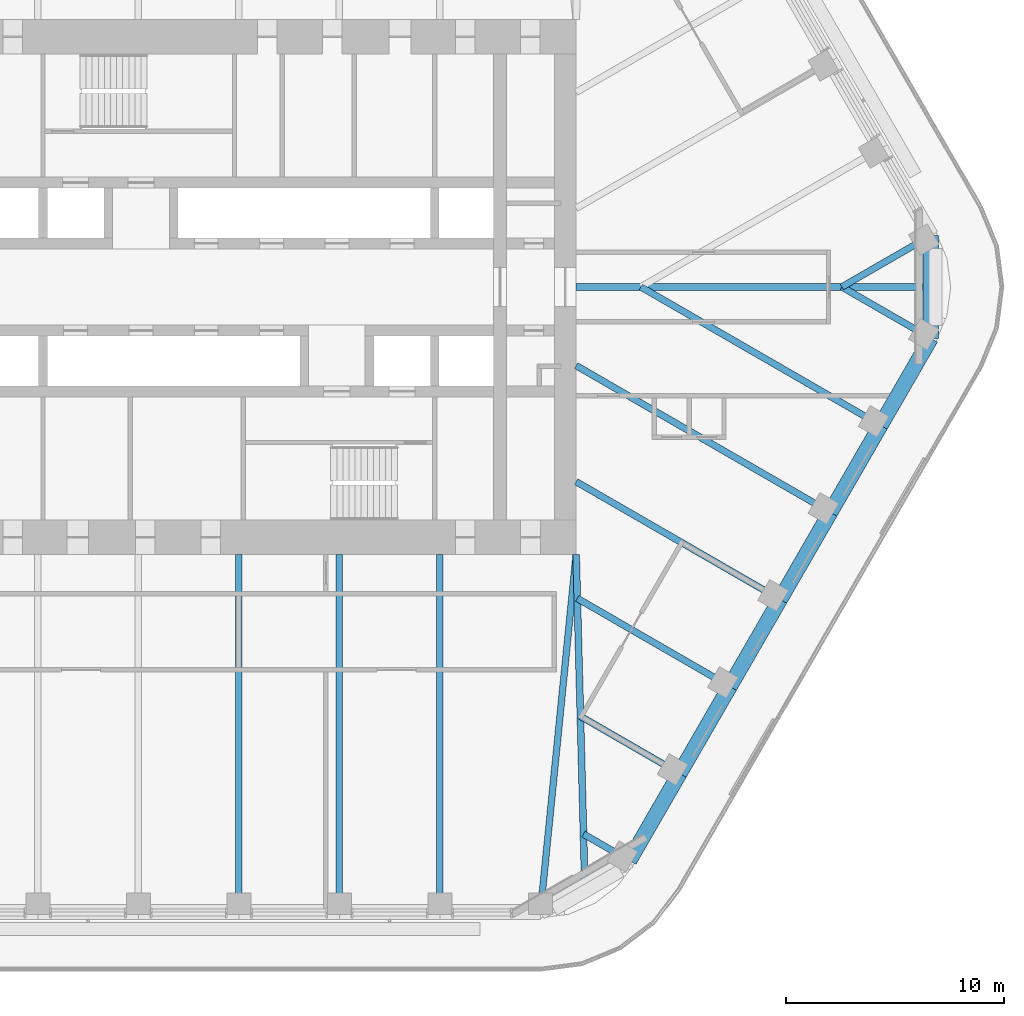
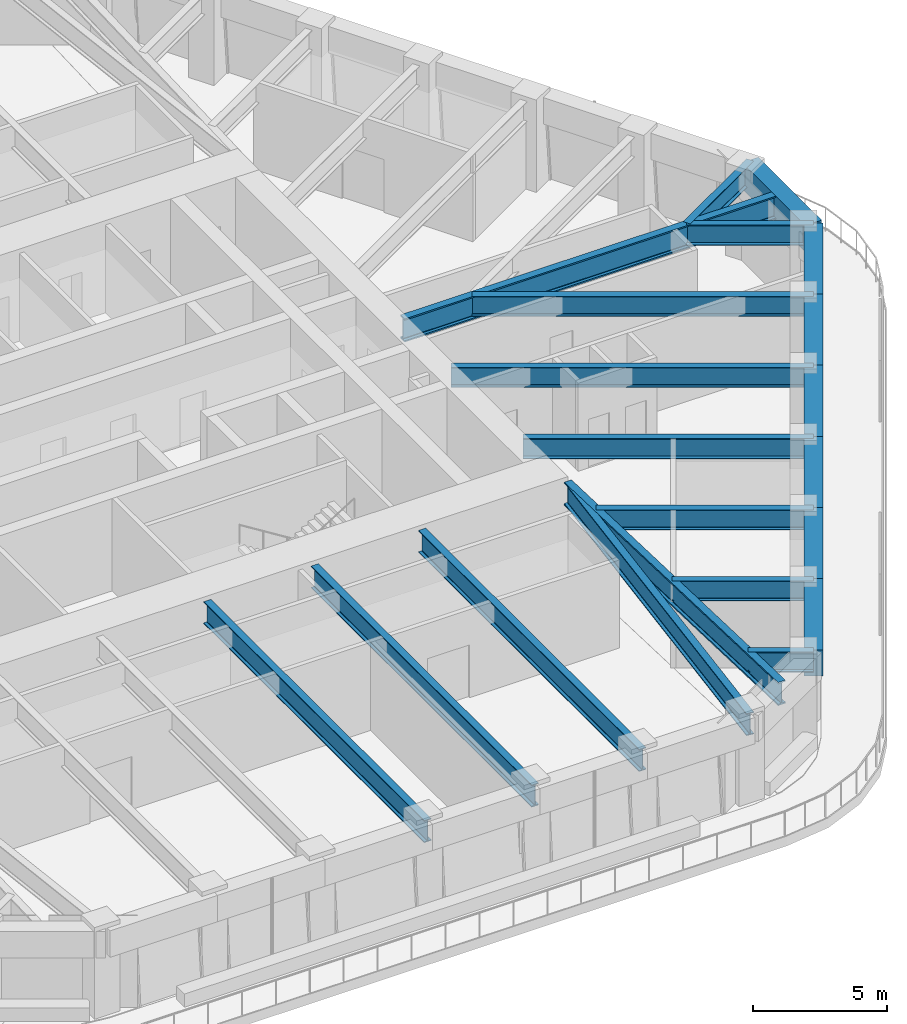
# One storey, part 5 of 20: 21 beams.
"""IFC4 building model written with IfcOpenShell, lengths in metres."""

import ifcopenshell
import ifcopenshell.guid

model = None  # the IFC model being written
_history = None  # IfcOwnerHistory: only IFC2X3 demands one
_inside = {}  # id of a spatial element -> (the spatial element, [elements in it])
_under = {}  # id of a project, library or spatial element -> (it, [spatial elements below it])
_declared = {}  # id of a project -> (the project, [libraries it declares])
_typed = {}  # id of a type object -> (the type object, [elements of that type])
_made_of = {}  # id of a material, layer set ... -> (it, [elements and type objects made of it])


def new_model(schema):
    """Start an empty IFC model of exactly this schema.

    Asked for "IFC4X3", IfcOpenShell would pick the latest addendum, in which some entities
    have other attributes; the version numbers below select the first issue.
    IFC2X3 requires an IfcOwnerHistory on every rooted entity: one is made here for all.
    """
    global model, _history
    if schema == "IFC4X3":
        model = ifcopenshell.file(schema_version=(4, 3, 0, 0))
    else:
        model = ifcopenshell.file(schema=schema)
    _inside.clear()
    _under.clear()
    _declared.clear()
    _typed.clear()
    _made_of.clear()
    _history = None
    if model.schema == "IFC2X3":
        org = make("IfcOrganization", Name="unknown")
        user = make(
            "IfcPersonAndOrganization",
            ThePerson=make("IfcPerson", FamilyName="unknown"),
            TheOrganization=org,
        )
        app = make(
            "IfcApplication",
            ApplicationDeveloper=org,
            Version="unknown",
            ApplicationFullName="unknown",
            ApplicationIdentifier="unknown",
        )
        _history = make(
            "IfcOwnerHistory",
            OwningUser=user,
            OwningApplication=app,
            ChangeAction="ADDED",
            CreationDate=0,
        )
    return model


def make(cls, **values):
    """One entity of the class cls with the attributes given. An attribute that is None is left unset."""
    return model.create_entity(
        cls, **{name: value for name, value in values.items() if value is not None}
    )


def rooted(cls, **values):
    """An entity with a GlobalId (a new one), such as an element, a storey or a relation."""
    return make(cls, GlobalId=ifcopenshell.guid.new(), OwnerHistory=_history, **values)


def si_unit(unit_type, name, prefix=None):
    """IfcSIUnit, for example si_unit("LENGTHUNIT", "METRE", prefix="MILLI")."""
    return make("IfcSIUnit", UnitType=unit_type, Prefix=prefix, Name=name)


def assignment(units):
    """IfcUnitAssignment: the units of a project."""
    return None if units is None else make("IfcUnitAssignment", Units=units)


def point(xyz):
    """IfcCartesianPoint."""
    return None if xyz is None else make("IfcCartesianPoint", Coordinates=xyz)


def direction(xyz):
    """IfcDirection."""
    return None if xyz is None else make("IfcDirection", DirectionRatios=xyz)


def frame(location, z_axis=None, x_axis=None):
    """IfcAxis2Placement3D, a coordinate frame: its origin and axes. An axis left out is left unset."""
    return make(
        "IfcAxis2Placement3D",
        Location=point(location),
        Axis=direction(z_axis),
        RefDirection=direction(x_axis),
    )


def frame_2d(location, x_axis=None):
    """IfcAxis2Placement2D, a coordinate frame in the plane: its origin and x axis."""
    return make(
        "IfcAxis2Placement2D", Location=point(location), RefDirection=direction(x_axis)
    )


def origin():
    """The frame at (0, 0, 0) with its axes left unset."""
    return frame((0.0, 0.0, 0.0))


def origin_2d():
    """The frame at (0, 0) in the plane with its x axis left unset."""
    return frame_2d((0.0, 0.0))


def place(relative_to, where):
    """IfcLocalPlacement: puts the frame where relative to a parent placement (None: the world)."""
    return make(
        "IfcLocalPlacement", PlacementRelTo=relative_to, RelativePlacement=where
    )


def context(
    kind, dimensions, precision=None, world=None, true_north=None, identifier=None
):
    """IfcGeometricRepresentationContext, for example the 3D "Model" context."""
    return make(
        "IfcGeometricRepresentationContext",
        ContextIdentifier=identifier,
        ContextType=kind,
        CoordinateSpaceDimension=dimensions,
        Precision=precision,
        WorldCoordinateSystem=world,
        TrueNorth=true_north,
    )


def subcontext(parent, identifier, kind, view, scale=None):
    """IfcGeometricRepresentationSubContext, for example "Body" below "Model"."""
    return make(
        "IfcGeometricRepresentationSubContext",
        ContextIdentifier=identifier,
        ContextType=kind,
        ParentContext=parent,
        TargetScale=scale,
        TargetView=view,
    )


def project(units=None, contexts=None):
    """IfcProject with its units and contexts."""
    return rooted(
        "IfcProject",
        Name="project",
        RepresentationContexts=contexts,
        UnitsInContext=assignment(units),
    )


def spatial(cls, under=None, at=None, **own):
    """A site, building, storey or space (cls), placed at a placement, below another one or the project."""
    s = rooted(cls, ObjectPlacement=at, **own)
    if under is not None:
        _under.setdefault(under.id(), (under, []))[1].append(s)
    return s


def profile(cls, at=None, kind="AREA", **sizes):
    """A parametric profile (cls). Its sizes go by their IFC names, for example OverallWidth=200.0."""
    return make(cls, ProfileType=kind, Position=at, **sizes)


def rectangle(**sizes):
    """IfcRectangleProfileDef."""
    return profile("IfcRectangleProfileDef", **sizes)


def i_section(**sizes):
    """IfcIShapeProfileDef."""
    return profile("IfcIShapeProfileDef", **sizes)


def extrude(swept, where, along, depth):
    """IfcExtrudedAreaSolid: the profile swept, set in the frame where, extruded along a direction by depth."""
    return make(
        "IfcExtrudedAreaSolid",
        SweptArea=swept,
        Position=where,
        ExtrudedDirection=direction(along),
        Depth=depth,
    )


def shape(context_of_items, identifier, shape_type, items):
    """IfcShapeRepresentation: the items that make up one representation, for example the "Body"."""
    return make(
        "IfcShapeRepresentation",
        ContextOfItems=context_of_items,
        RepresentationIdentifier=identifier,
        RepresentationType=shape_type,
        Items=items,
    )


def material(Name=None, Category=None):
    """IfcMaterial."""
    return make("IfcMaterial", Name=Name, Category=Category)


def material_profile(
    of_material, cross_section, Name=None, Category=None, Priority=None
):
    """IfcMaterialProfile: a cross section and its material."""
    return make(
        "IfcMaterialProfile",
        Name=Name,
        Material=of_material,
        Profile=cross_section,
        Priority=Priority,
        Category=Category,
    )


def profile_set(profiles, Name=None, composite=None):
    """IfcMaterialProfileSet."""
    return make(
        "IfcMaterialProfileSet",
        Name=Name,
        MaterialProfiles=profiles,
        CompositeProfile=composite,
    )


def made_of(thing, what):
    """Note that an element or type object is made of a material, layer set ...; save() writes the relation."""
    if what is not None:
        _made_of.setdefault(what.id(), (what, []))[1].append(thing)
    return thing


def type_object(cls, material=None, **own):
    """A type object (cls), such as IfcWallType, which elements share."""
    return made_of(rooted(cls, **own), material)


def element(
    cls,
    number,
    at=None,
    inside=None,
    cuts=None,
    type_object=None,
    material=None,
    context=None,
    identifier="Body",
    shape_type=None,
    held_by="IfcProductDefinitionShape",
    body=None,
    shapes=None,
    **own,
):
    """One element of the class cls, such as IfcWall. Its Tag is "e" and its number.

    at: its placement. inside: the storey or other place that contains it. cuts: it is an
    opening in that element (IfcRelVoidsElement). A single representation is given by context,
    identifier, shape_type and body (its items); several are given by shapes. held_by: the class
    of the entity that holds the representations. save() writes the other relations.
    """
    e = rooted(cls, Tag="e%d" % number, ObjectPlacement=at, **own)
    if body is not None:
        shapes = [shape(context, identifier, shape_type, body)]
    if shapes is not None:
        e.Representation = make(held_by, Representations=shapes)
    if inside is not None:
        _inside.setdefault(inside.id(), (inside, []))[1].append(e)
    if cuts is not None:
        rooted(
            "IfcRelVoidsElement", RelatingBuildingElement=cuts, RelatedOpeningElement=e
        )
    if type_object is not None:
        _typed.setdefault(type_object.id(), (type_object, []))[1].append(e)
    return made_of(e, material)


def aggregate(whole, parts):
    """IfcRelAggregates: a whole, such as a stair, and the parts it consists of."""
    return rooted("IfcRelAggregates", RelatingObject=whole, RelatedObjects=parts)


def save(model, path):
    """Write the relations noted so far, then the file.

    IfcRelAggregates (storeys below a building ...), IfcRelContainedInSpatialStructure (elements
    in a storey), IfcRelDefinesByType, IfcRelAssociatesMaterial and IfcRelDeclares: one each for
    every whole, place, type object, material and project.
    """
    for whole, parts in _under.values():
        aggregate(whole, parts)
    for where, things in _inside.values():
        rooted(
            "IfcRelContainedInSpatialStructure",
            RelatedElements=things,
            RelatingStructure=where,
        )
    for kind, things in _typed.values():
        rooted("IfcRelDefinesByType", RelatedObjects=things, RelatingType=kind)
    for what, things in _made_of.values():
        rooted("IfcRelAssociatesMaterial", RelatedObjects=things, RelatingMaterial=what)
    for by, libraries in _declared.values():
        rooted("IfcRelDeclares", RelatingContext=by, RelatedDefinitions=libraries)
    model.write(path)


model = new_model("IFC4")

# Units and contexts
model_context = context("Model", 3, precision=1e-05, world=origin(), true_north=direction((0.0, 1.0)))
body_context = subcontext(model_context, "Body", "Model", "MODEL_VIEW")
ifc_project = project(units=[si_unit("LENGTHUNIT", "METRE"), si_unit("AREAUNIT", "SQUARE_METRE"), si_unit("VOLUMEUNIT", "CUBIC_METRE"), si_unit("PLANEANGLEUNIT", "RADIAN"), si_unit("MASSUNIT", "GRAM", prefix="KILO")], contexts=[model_context])

# Site, building, storey
site_placement = place(None, origin())
site = spatial("IfcSite", under=ifc_project, at=site_placement, CompositionType="ELEMENT")
building_placement = place(site_placement, origin())
building = spatial("IfcBuilding", under=site, at=building_placement, Name="Tarfa Lantern Tower", CompositionType="ELEMENT")
storey_placement = place(building_placement, frame((0.0, 0.0, 286.89990234375)))
storey = spatial("IfcBuildingStorey", under=building, at=storey_placement, Name="L65", CompositionType="ELEMENT", Elevation=286.89990234375)

# Beams
ifc_material_1 = material(Name="Concrete C80/95", Category="concrete")
ifc_material_profile_1 = material_profile(ifc_material_1, rectangle(XDim=0.699951171875, YDim=1.199951171875, at=origin_2d()), Name="RC 700x1200")
ifc_profile_set_1 = profile_set([ifc_material_profile_1], Name="Concrete C80/95")
beam_type_1 = type_object("IfcBeamType", Name="EB3 RC 700x1200", PredefinedType="SPANDREL", material=ifc_profile_set_1)
for number, where, z_axis, x_axis, name in (
    (1, (17.944091796875, -26.360107421875, 3.400146484375), (0.499987836815, 0.866032426089, 0.0), (-0.866032426089, 0.499987836815, 0.0), "Edge beam SE0"),
    (2, (20.25341796875, -22.360107421875, 3.400146484375), (0.499987836815, 0.866032426089, 0.0), (-0.866032426089, 0.499987836815, 0.0), "Edge beam SE1"),
):
    element("IfcBeam", number, at=place(storey_placement, frame(where, z_axis=z_axis, x_axis=x_axis)), inside=storey, type_object=beam_type_1, Name=name, PredefinedType="SPANDREL", context=body_context, shape_type="SweptSolid", body=[
        extrude(rectangle(XDim=0.699951171875, YDim=1.199951171875, at=origin_2d()), origin(), (0.0, 0.0, 1.0), 4.61865234375),
    ])
beam_1_placement = place(storey_placement, frame((22.562744140625, -18.360107421875, 3.400146484375), z_axis=(0.500027479704, 0.866009537788, 0.0), x_axis=(-0.866009537788, 0.500027479704, 0.0)))
element("IfcBeam", 3, at=beam_1_placement, inside=storey, type_object=beam_type_1, Name="Edge beam SE2", PredefinedType="SPANDREL", context=body_context, shape_type="SweptSolid", body=[
    extrude(rectangle(XDim=0.699951171875, YDim=1.199951171875, at=origin_2d()), origin(), (0.0, 0.0, 1.0), 4.618896484375),
])
for number, where, z_axis, x_axis, name in (
    (4, (24.872314453125, -14.360107421875, 3.400146484375), (0.499987836815, 0.866032426089, 0.0), (-0.866032426089, 0.499987836815, 0.0), "Edge beam SE3"),
    (5, (27.181640625, -10.360107421875, 3.400146484375), (0.499987836815, 0.866032426089, 0.0), (-0.866032426089, 0.499987836815, 0.0), "Edge beam SE4"),
):
    element("IfcBeam", number, at=place(storey_placement, frame(where, z_axis=z_axis, x_axis=x_axis)), inside=storey, type_object=beam_type_1, Name=name, PredefinedType="SPANDREL", context=body_context, shape_type="SweptSolid", body=[
        extrude(rectangle(XDim=0.699951171875, YDim=1.199951171875, at=origin_2d()), origin(), (0.0, 0.0, 1.0), 4.61865234375),
    ])
beam_2_placement = place(storey_placement, frame((29.490966796875, -6.360107421875, 3.400146484375), z_axis=(0.500027479704, 0.866009537788, 0.0), x_axis=(-0.866009537788, 0.500027479704, 0.0)))
element("IfcBeam", 6, at=beam_2_placement, inside=storey, type_object=beam_type_1, Name="Edge beam SE5", PredefinedType="SPANDREL", context=body_context, shape_type="SweptSolid", body=[
    extrude(rectangle(XDim=0.699951171875, YDim=1.199951171875, at=origin_2d()), origin(), (0.0, 0.0, 1.0), 4.618896484375),
])
beam_3_placement = place(storey_placement, frame((31.800537109375, -2.360107421875, 3.400146484375), z_axis=(0.0, 1.0, 0.0), x_axis=(-1.0, 0.0, 0.0)))
element("IfcBeam", 7, at=beam_3_placement, inside=storey, type_object=beam_type_1, Name="Edge beam SE6", PredefinedType="SPANDREL", context=body_context, shape_type="SweptSolid", body=[
    extrude(rectangle(XDim=0.699951171875, YDim=1.199951171875, at=origin_2d()), origin(), (0.0, 0.0, 1.0), 4.72021484375),
])
ifc_material_2 = material(Name="Steel S460M", Category="steel")
ifc_material_profile_2 = material_profile(ifc_material_2, i_section(OverallWidth=0.302001953125, OverallDepth=1.008056640625, WebThickness=0.02099609375, FlangeThickness=0.0400390625, FilletRadius=0.030029296875, at=origin_2d()), Name="UB1016x305x349")
ifc_profile_set_2 = profile_set([ifc_material_profile_2], Name="Steel S460M")
beam_type_2 = type_object("IfcBeamType", Name="UB1016x305x349", PredefinedType="BEAM", material=ifc_profile_set_2)
for number, where, z_axis, x_axis, name in (
    (8, (0.0, -28.719970703125, 3.49609375), (0.0, 1.0, 0.0), (-1.0, 0.0, 0.0), "Floor beam S3"),
    (9, (4.618896484375, -28.719970703125, 3.49609375), (0.0, 1.0, 0.0), (-1.0, 0.0, 0.0), "Floor beam S4"),
    (10, (9.237548828125, -28.719970703125, 3.49609375), (0.0, 1.0, 0.0), (-1.0, 0.0, 0.0), "Floor beam S5"),
):
    element("IfcBeam", number, at=place(storey_placement, frame(where, z_axis=z_axis, x_axis=x_axis)), inside=storey, type_object=beam_type_2, Name=name, PredefinedType="BEAM", context=body_context, shape_type="SweptSolid", body=[
        extrude(i_section(OverallWidth=0.302001953125, OverallDepth=1.008056640625, WebThickness=0.02099609375, FlangeThickness=0.0400390625, FilletRadius=0.030029296875, at=origin_2d()), origin(), (0.0, 0.0, 1.0), 16.419921875),
    ])
beam_4_placement = place(storey_placement, frame((13.8564453125, -28.719970703125, 3.49609375), z_axis=(0.099597466746, 0.995027810977, 0.0), x_axis=(-0.995027810977, 0.099597466746, 0.0)))
element("IfcBeam", 11, at=beam_4_placement, inside=storey, type_object=beam_type_2, Name="Floor beam S6", PredefinedType="BEAM", context=body_context, shape_type="SweptSolid", body=[
    extrude(i_section(OverallWidth=0.302001953125, OverallDepth=1.008056640625, WebThickness=0.02099609375, FlangeThickness=0.0400390625, FilletRadius=0.030029296875, at=origin_2d()), origin(), (0.0, 0.0, 1.0), 16.501953125),
])
ifc_material_profile_3 = material_profile(ifc_material_2, i_section(OverallWidth=0.314208984375, OverallDepth=1.055908203125, WebThickness=0.035888671875, FlangeThickness=0.06396484375, FilletRadius=0.030029296875, at=origin_2d()), Name="UB1016x305x584")
ifc_profile_set_3 = profile_set([ifc_material_profile_3], Name="Steel S460M")
beam_type_3 = type_object("IfcBeamType", Name="UB1016x305x584", PredefinedType="BEAM", material=ifc_profile_set_3)
beam_5_placement = place(storey_placement, frame((15.5, 0.0, 3.47216796875), z_axis=(1.0, 0.0, 0.0), x_axis=(0.0, 1.0, 0.0)))
element("IfcBeam", 12, at=beam_5_placement, inside=storey, type_object=beam_type_3, Name="Hip girder E", PredefinedType="BEAM", context=body_context, shape_type="SweptSolid", body=[
    extrude(i_section(OverallWidth=0.314208984375, OverallDepth=1.055908203125, WebThickness=0.035888671875, FlangeThickness=0.06396484375, FilletRadius=0.030029296875, at=origin_2d()), origin(), (0.0, 0.0, 1.0), 16.300537109375),
])
beam_6_placement = place(storey_placement, frame((15.5, -12.300048828125, 3.47216796875), z_axis=(0.026247301989, -0.999655480222, 0.0), x_axis=(0.999655480222, 0.026247301989, 0.0)))
element("IfcBeam", 13, at=beam_6_placement, inside=storey, type_object=beam_type_3, Name="Hip girder SE", PredefinedType="BEAM", context=body_context, shape_type="SweptSolid", body=[
    extrude(i_section(OverallWidth=0.314208984375, OverallDepth=1.055908203125, WebThickness=0.035888671875, FlangeThickness=0.06396484375, FilletRadius=0.030029296875, at=origin_2d()), origin(), (0.0, 0.0, 1.0), 15.245361328125),
])
ifc_material_profile_4 = material_profile(ifc_material_2, i_section(OverallWidth=0.305419921875, OverallDepth=0.91845703125, WebThickness=0.017333984375, FlangeThickness=0.02783203125, FilletRadius=0.01904296875, at=origin_2d()), Name="UB914x305x253")
ifc_profile_set_4 = profile_set([ifc_material_profile_4], Name="Steel S460M")
beam_type_4 = type_object("IfcBeamType", Name="UB914x305x253", PredefinedType="BEAM", material=ifc_profile_set_4)
beam_7_placement = place(storey_placement, frame((31.800537109375, 2.360107421875, 3.541015625), z_axis=(-0.866015897305, -0.500016465344, 0.0), x_axis=(0.500016465344, -0.866015897305, 0.0)))
element("IfcBeam", 14, at=beam_7_placement, inside=storey, type_object=beam_type_4, Name="Floor beam NE0", PredefinedType="BEAM", context=body_context, shape_type="SweptSolid", body=[
    extrude(i_section(OverallWidth=0.305419921875, OverallDepth=0.91845703125, WebThickness=0.017333984375, FlangeThickness=0.02783203125, FilletRadius=0.01904296875, at=origin_2d()), origin(), (0.0, 0.0, 1.0), 4.719970703125),
])
beam_8_placement = place(storey_placement, frame((17.944091796875, -26.360107421875, 3.541015625), z_axis=(-0.865980009423, 0.5000786171, 0.0), x_axis=(-0.5000786171, -0.865980009423, 0.0)))
element("IfcBeam", 15, at=beam_8_placement, inside=storey, type_object=beam_type_4, Name="Floor beam SE0", PredefinedType="BEAM", context=body_context, shape_type="SweptSolid", body=[
    extrude(i_section(OverallWidth=0.305419921875, OverallDepth=0.91845703125, WebThickness=0.017333984375, FlangeThickness=0.02783203125, FilletRadius=0.01904296875, at=origin_2d()), origin(), (0.0, 0.0, 1.0), 2.4326171875),
])
beam_9_placement = place(storey_placement, frame((20.25341796875, -22.360107421875, 3.541015625), z_axis=(-0.86601951648, 0.500010196972, 0.0), x_axis=(-0.500010196972, -0.86601951648, 0.0)))
element("IfcBeam", 16, at=beam_9_placement, inside=storey, type_object=beam_type_4, Name="Floor beam SE1", PredefinedType="BEAM", context=body_context, shape_type="SweptSolid", body=[
    extrude(i_section(OverallWidth=0.305419921875, OverallDepth=0.91845703125, WebThickness=0.017333984375, FlangeThickness=0.02783203125, FilletRadius=0.01904296875, at=origin_2d()), origin(), (0.0, 0.0, 1.0), 5.263671875),
])
beam_10_placement = place(storey_placement, frame((22.562744140625, -18.360107421875, 3.541015625), z_axis=(-0.866010787764, 0.500025314835, 0.0), x_axis=(-0.500025314835, -0.866010787764, 0.0)))
element("IfcBeam", 17, at=beam_10_placement, inside=storey, type_object=beam_type_4, Name="Floor beam SE2", PredefinedType="BEAM", context=body_context, shape_type="SweptSolid", body=[
    extrude(i_section(OverallWidth=0.305419921875, OverallDepth=0.91845703125, WebThickness=0.017333984375, FlangeThickness=0.02783203125, FilletRadius=0.01904296875, at=origin_2d()), origin(), (0.0, 0.0, 1.0), 8.09423828125),
])
beam_11_placement = place(storey_placement, frame((24.872314453125, -14.360107421875, 3.541015625), z_axis=(-0.8660244219, 0.500001700669, 0.0), x_axis=(-0.500001700669, -0.8660244219, 0.0)))
element("IfcBeam", 18, at=beam_11_placement, inside=storey, type_object=beam_type_4, Name="Floor beam SE3", PredefinedType="BEAM", context=body_context, shape_type="SweptSolid", body=[
    extrude(i_section(OverallWidth=0.305419921875, OverallDepth=0.91845703125, WebThickness=0.017333984375, FlangeThickness=0.02783203125, FilletRadius=0.01904296875, at=origin_2d()), origin(), (0.0, 0.0, 1.0), 10.822265625),
])
beam_12_placement = place(storey_placement, frame((27.181640625, -10.360107421875, 3.541015625), z_axis=(-0.866018002818, 0.500012818631, 0.0), x_axis=(-0.500012818631, -0.866018002818, 0.0)))
element("IfcBeam", 19, at=beam_12_placement, inside=storey, type_object=beam_type_4, Name="Floor beam SE4", PredefinedType="BEAM", context=body_context, shape_type="SweptSolid", body=[
    extrude(i_section(OverallWidth=0.305419921875, OverallDepth=0.91845703125, WebThickness=0.017333984375, FlangeThickness=0.02783203125, FilletRadius=0.01904296875, at=origin_2d()), origin(), (0.0, 0.0, 1.0), 13.489013671875),
])
beam_13_placement = place(storey_placement, frame((29.490966796875, -6.360107421875, 3.541015625), z_axis=(-0.866022258038, 0.500005448553, 0.0), x_axis=(-0.500005448553, -0.866022258038, 0.0)))
element("IfcBeam", 20, at=beam_13_placement, inside=storey, type_object=beam_type_4, Name="Floor beam SE5", PredefinedType="BEAM", context=body_context, shape_type="SweptSolid", body=[
    extrude(i_section(OverallWidth=0.305419921875, OverallDepth=0.91845703125, WebThickness=0.017333984375, FlangeThickness=0.02783203125, FilletRadius=0.01904296875, at=origin_2d()), origin(), (0.0, 0.0, 1.0), 12.719970703125),
])
beam_14_placement = place(storey_placement, frame((31.800537109375, -2.360107421875, 3.541015625), z_axis=(-0.866015897305, 0.500016465344, 0.0), x_axis=(-0.500016465344, -0.866015897305, 0.0)))
element("IfcBeam", 21, at=beam_14_placement, inside=storey, type_object=beam_type_4, Name="Floor beam SE6", PredefinedType="BEAM", context=body_context, shape_type="SweptSolid", body=[
    extrude(i_section(OverallWidth=0.305419921875, OverallDepth=0.91845703125, WebThickness=0.017333984375, FlangeThickness=0.02783203125, FilletRadius=0.01904296875, at=origin_2d()), origin(), (0.0, 0.0, 1.0), 4.719970703125),
])

save(model, "model.ifc")
